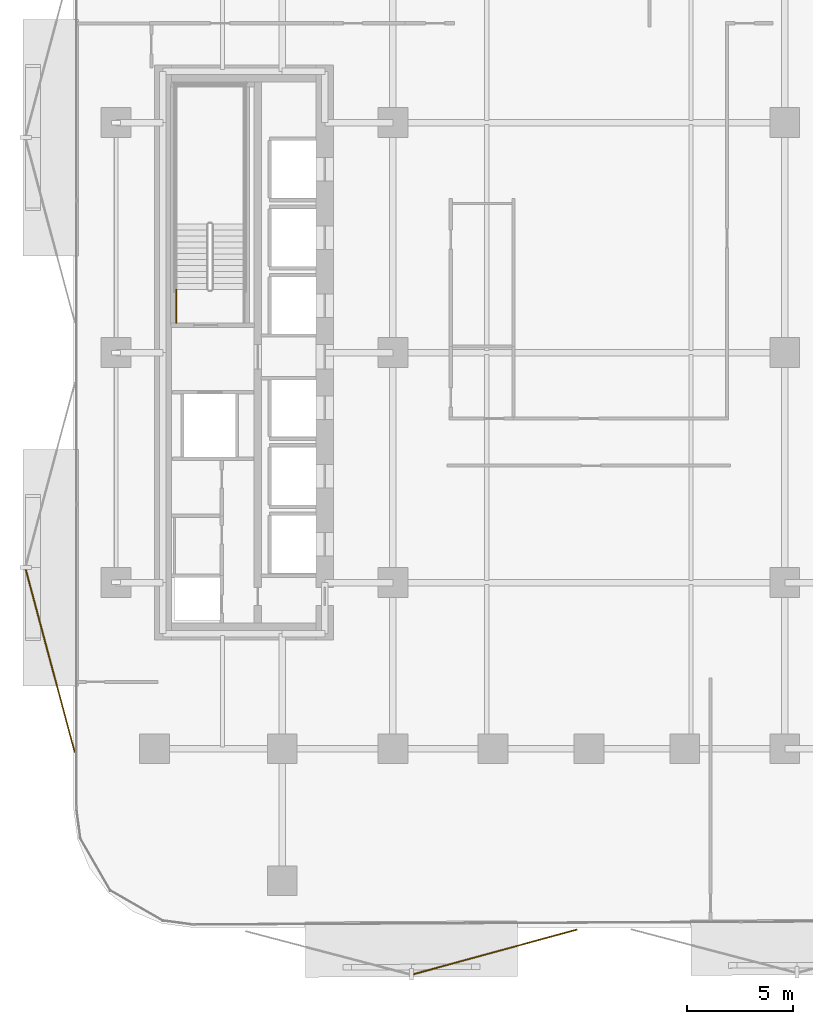
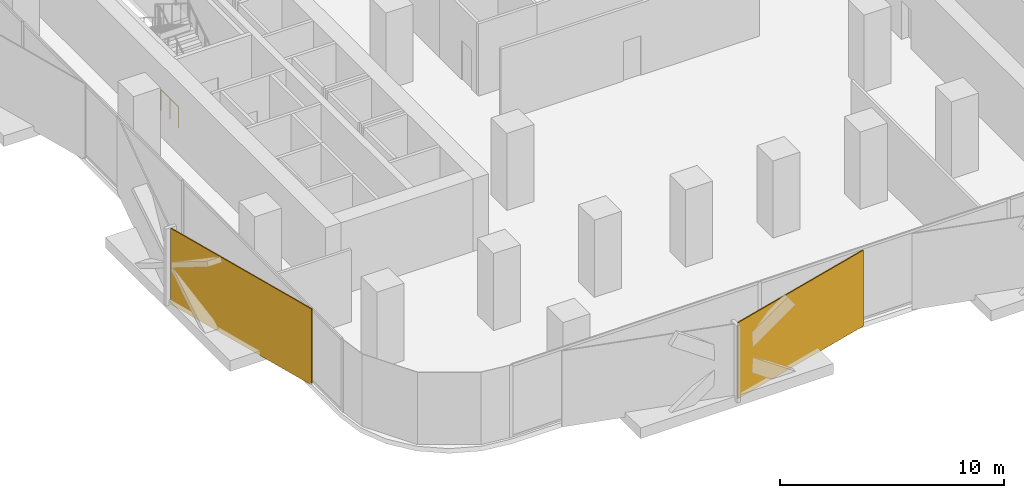
# One storey, part 11 of 15: 2 coverings, 1 railing.
"""IFC4 building model written with IfcOpenShell, lengths in metres."""

from ifc_helpers import new_model, si_unit, direction, frame, origin, origin_2d, place, context, subcontext, project, spatial, rectangle, circle, extrude, material, layer, layer_set, type_object, element, save


model = new_model("IFC4")

# Units and contexts
model_context = context("Model", 3, precision=1e-05, world=origin(), true_north=direction((0.0, 1.0)))
body_context = subcontext(model_context, "Body", "Model", "MODEL_VIEW")
ifc_project = project(units=[si_unit("LENGTHUNIT", "METRE"), si_unit("AREAUNIT", "SQUARE_METRE"), si_unit("VOLUMEUNIT", "CUBIC_METRE"), si_unit("PLANEANGLEUNIT", "RADIAN"), si_unit("MASSUNIT", "GRAM", prefix="KILO")], contexts=[model_context])

# Site, building, storey
site_placement = place(None, origin())
site = spatial("IfcSite", under=ifc_project, at=site_placement, CompositionType="ELEMENT")
building_placement = place(site_placement, origin())
building = spatial("IfcBuilding", under=site, at=building_placement, Name="Khairoan Windgate Tower", CompositionType="ELEMENT")
storey_placement = place(building_placement, frame((0.0, 0.0, 30.199951171875)))
storey = spatial("IfcBuildingStorey", under=building, at=storey_placement, Name="L07", CompositionType="ELEMENT", Elevation=30.199951171875)

# Coverings
ifc_material_1 = material(Name="Anodised Bronze Aluminium 6063-T6", Category="aluminium")
ifc_layer = layer(ifc_material_1, 0.054931640625, Name="Anodised Bronze Aluminium 6063-T6")
ifc_layer_set = layer_set([ifc_layer], Name="Anodised Bronze Aluminium 6063-T6")
covering_type = type_object("IfcCoveringType", Name="Perforated Bronze-Ceramic Folded Solar Screen Cladding BSC-1", PredefinedType="CLADDING", material=ifc_layer_set)
covering_1_placement = place(storey_placement, frame((-4.396484375, -28.140380859375, -0.10009765625), z_axis=(0.0, 0.0, 1.0), x_axis=(-0.964649468762, -0.263536339841, 0.0)))
element("IfcCovering", 1, at=covering_1_placement, inside=storey, type_object=covering_type, Name="L07 Folded Bronze Solar Screen Facet 10L", PredefinedType="CLADDING", context=body_context, shape_type="SweptSolid", body=[
    extrude(rectangle(XDim=7.965087890625, YDim=0.054931640625, at=origin_2d()), origin(), (0.0, 0.0, 1.0), 4.139892578125),
])
covering_2_placement = place(storey_placement, frame((-25.290283203125, -14.47607421875, -0.10009765625), z_axis=(0.0, 0.0, 1.0), x_axis=(-0.258819045103, 0.965925826289, 0.0)))
element("IfcCovering", 2, at=covering_2_placement, inside=storey, type_object=covering_type, Name="L07 Folded Bronze Solar Screen Facet 11L", PredefinedType="CLADDING", context=body_context, shape_type="SweptSolid", body=[
    extrude(rectangle(XDim=8.884033203125, YDim=0.054931640625, at=origin_2d()), origin(), (0.0, 0.0, 1.0), 4.139892578125),
])

# Railing
ifc_material_2 = material(Name="Steel S355", Category="steel")
railing_type = type_object("IfcRailingType", Name="Stairwell Safety Guardrail SGR-1150", PredefinedType="GUARDRAIL", material=ifc_material_2)
railing_placement = place(storey_placement, frame((-19.3701171875, 1.39990234375, 0.0)))
element("IfcRailing", 3, at=railing_placement, inside=storey, type_object=railing_type, Name="L07 ST2 stair guard 9", PredefinedType="GUARDRAIL", context=body_context, shape_type="SweptSolid", body=[
    extrude(circle(Radius=0.02392578125, at=origin_2d()), frame((0.0, 0.0, 1.1259765625), z_axis=(0.0, 1.0, 0.0), x_axis=(-1.0, 0.0, 0.0)), (0.0, 0.0, 1.0), 1.56005859375),
    extrude(circle(Radius=0.02099609375, at=origin_2d()), origin(), (0.0, 0.0, 1.0), 1.101806640625),
    extrude(circle(Radius=0.02099609375, at=origin_2d()), frame((0.0, 0.780029296875, 0.0)), (0.0, 0.0, 1.0), 1.101806640625),
    extrude(circle(Radius=0.02099609375, at=origin_2d()), frame((0.0, 1.56005859375, 0.0)), (0.0, 0.0, 1.0), 1.101806640625),
])

save(model, "model.ifc")
